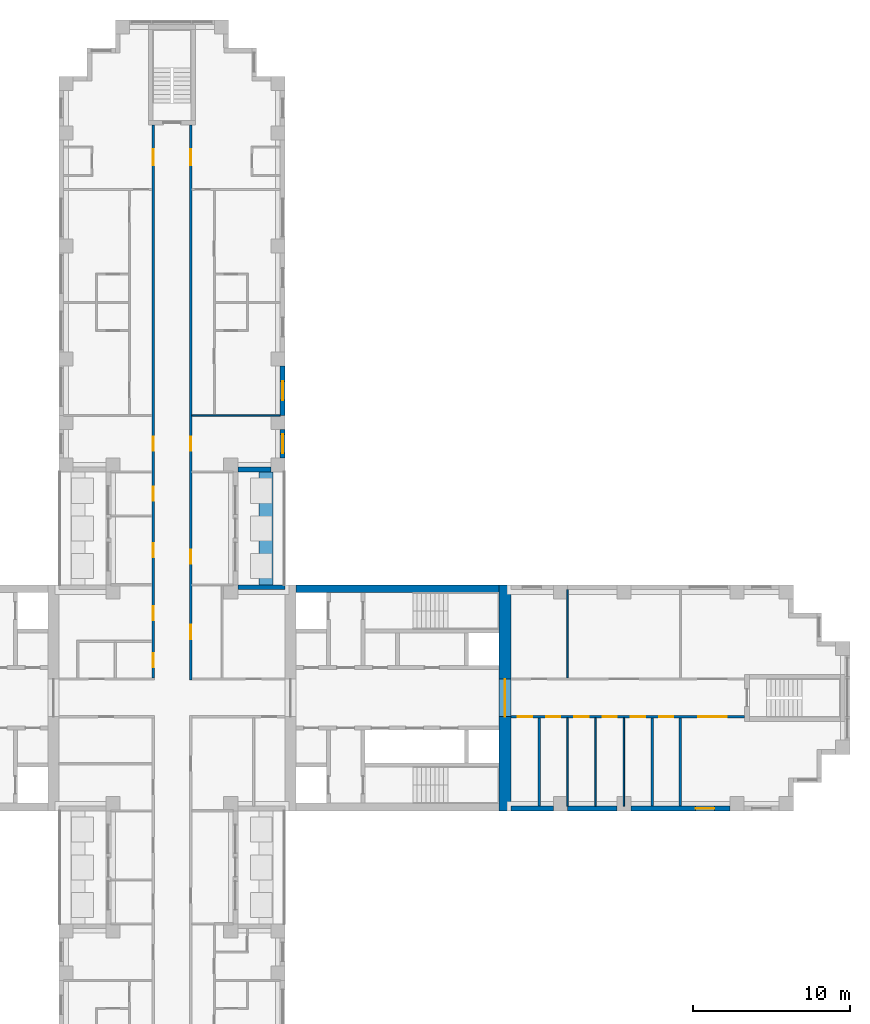
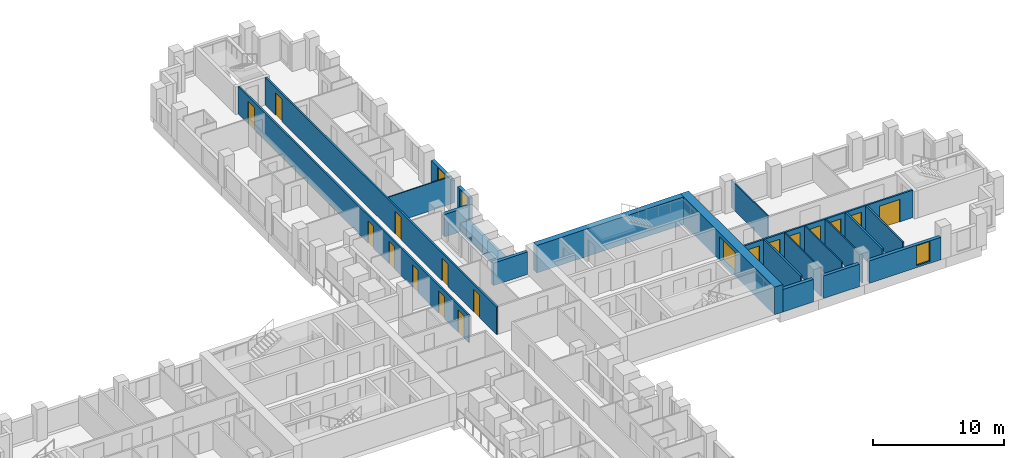
# One storey, part 10 of 16: 21 walls, 18 doors, 3 windows, 21 openings.
"""IFC4 building model written with IfcOpenShell, lengths in metres."""

import ifcopenshell
import ifcopenshell.guid

model = None  # the IFC model being written
_history = None  # IfcOwnerHistory: only IFC2X3 demands one
_inside = {}  # id of a spatial element -> (the spatial element, [elements in it])
_under = {}  # id of a project, library or spatial element -> (it, [spatial elements below it])
_declared = {}  # id of a project -> (the project, [libraries it declares])
_typed = {}  # id of a type object -> (the type object, [elements of that type])
_made_of = {}  # id of a material, layer set ... -> (it, [elements and type objects made of it])


def new_model(schema):
    """Start an empty IFC model of exactly this schema.

    Asked for "IFC4X3", IfcOpenShell would pick the latest addendum, in which some entities
    have other attributes; the version numbers below select the first issue.
    IFC2X3 requires an IfcOwnerHistory on every rooted entity: one is made here for all.
    """
    global model, _history
    if schema == "IFC4X3":
        model = ifcopenshell.file(schema_version=(4, 3, 0, 0))
    else:
        model = ifcopenshell.file(schema=schema)
    _inside.clear()
    _under.clear()
    _declared.clear()
    _typed.clear()
    _made_of.clear()
    _history = None
    if model.schema == "IFC2X3":
        org = make("IfcOrganization", Name="unknown")
        user = make(
            "IfcPersonAndOrganization",
            ThePerson=make("IfcPerson", FamilyName="unknown"),
            TheOrganization=org,
        )
        app = make(
            "IfcApplication",
            ApplicationDeveloper=org,
            Version="unknown",
            ApplicationFullName="unknown",
            ApplicationIdentifier="unknown",
        )
        _history = make(
            "IfcOwnerHistory",
            OwningUser=user,
            OwningApplication=app,
            ChangeAction="ADDED",
            CreationDate=0,
        )
    return model


def make(cls, **values):
    """One entity of the class cls with the attributes given. An attribute that is None is left unset."""
    return model.create_entity(
        cls, **{name: value for name, value in values.items() if value is not None}
    )


def rooted(cls, **values):
    """An entity with a GlobalId (a new one), such as an element, a storey or a relation."""
    return make(cls, GlobalId=ifcopenshell.guid.new(), OwnerHistory=_history, **values)


def si_unit(unit_type, name, prefix=None):
    """IfcSIUnit, for example si_unit("LENGTHUNIT", "METRE", prefix="MILLI")."""
    return make("IfcSIUnit", UnitType=unit_type, Prefix=prefix, Name=name)


def assignment(units):
    """IfcUnitAssignment: the units of a project."""
    return None if units is None else make("IfcUnitAssignment", Units=units)


def point(xyz):
    """IfcCartesianPoint."""
    return None if xyz is None else make("IfcCartesianPoint", Coordinates=xyz)


def direction(xyz):
    """IfcDirection."""
    return None if xyz is None else make("IfcDirection", DirectionRatios=xyz)


def frame(location, z_axis=None, x_axis=None):
    """IfcAxis2Placement3D, a coordinate frame: its origin and axes. An axis left out is left unset."""
    return make(
        "IfcAxis2Placement3D",
        Location=point(location),
        Axis=direction(z_axis),
        RefDirection=direction(x_axis),
    )


def frame_2d(location, x_axis=None):
    """IfcAxis2Placement2D, a coordinate frame in the plane: its origin and x axis."""
    return make(
        "IfcAxis2Placement2D", Location=point(location), RefDirection=direction(x_axis)
    )


def origin():
    """The frame at (0, 0, 0) with its axes left unset."""
    return frame((0.0, 0.0, 0.0))


def place(relative_to, where):
    """IfcLocalPlacement: puts the frame where relative to a parent placement (None: the world)."""
    return make(
        "IfcLocalPlacement", PlacementRelTo=relative_to, RelativePlacement=where
    )


def context(
    kind, dimensions, precision=None, world=None, true_north=None, identifier=None
):
    """IfcGeometricRepresentationContext, for example the 3D "Model" context."""
    return make(
        "IfcGeometricRepresentationContext",
        ContextIdentifier=identifier,
        ContextType=kind,
        CoordinateSpaceDimension=dimensions,
        Precision=precision,
        WorldCoordinateSystem=world,
        TrueNorth=true_north,
    )


def subcontext(parent, identifier, kind, view, scale=None):
    """IfcGeometricRepresentationSubContext, for example "Body" below "Model"."""
    return make(
        "IfcGeometricRepresentationSubContext",
        ContextIdentifier=identifier,
        ContextType=kind,
        ParentContext=parent,
        TargetScale=scale,
        TargetView=view,
    )


def project(units=None, contexts=None):
    """IfcProject with its units and contexts."""
    return rooted(
        "IfcProject",
        Name="project",
        RepresentationContexts=contexts,
        UnitsInContext=assignment(units),
    )


def spatial(cls, under=None, at=None, **own):
    """A site, building, storey or space (cls), placed at a placement, below another one or the project."""
    s = rooted(cls, ObjectPlacement=at, **own)
    if under is not None:
        _under.setdefault(under.id(), (under, []))[1].append(s)
    return s


def profile(cls, at=None, kind="AREA", **sizes):
    """A parametric profile (cls). Its sizes go by their IFC names, for example OverallWidth=200.0."""
    return make(cls, ProfileType=kind, Position=at, **sizes)


def rectangle(**sizes):
    """IfcRectangleProfileDef."""
    return profile("IfcRectangleProfileDef", **sizes)


def extrude(swept, where, along, depth):
    """IfcExtrudedAreaSolid: the profile swept, set in the frame where, extruded along a direction by depth."""
    return make(
        "IfcExtrudedAreaSolid",
        SweptArea=swept,
        Position=where,
        ExtrudedDirection=direction(along),
        Depth=depth,
    )


def shape(context_of_items, identifier, shape_type, items):
    """IfcShapeRepresentation: the items that make up one representation, for example the "Body"."""
    return make(
        "IfcShapeRepresentation",
        ContextOfItems=context_of_items,
        RepresentationIdentifier=identifier,
        RepresentationType=shape_type,
        Items=items,
    )


def material(Name=None, Category=None):
    """IfcMaterial."""
    return make("IfcMaterial", Name=Name, Category=Category)


def layer(
    of_material, thickness, ventilated=None, Name=None, Category=None, Priority=None
):
    """IfcMaterialLayer: one layer of a wall or slab, of a material (None: an air gap)."""
    return make(
        "IfcMaterialLayer",
        Material=of_material,
        LayerThickness=thickness,
        IsVentilated=ventilated,
        Name=Name,
        Category=Category,
        Priority=Priority,
    )


def layer_set(layers, Name=None):
    """IfcMaterialLayerSet."""
    return make("IfcMaterialLayerSet", MaterialLayers=layers, LayerSetName=Name)


def made_of(thing, what):
    """Note that an element or type object is made of a material, layer set ...; save() writes the relation."""
    if what is not None:
        _made_of.setdefault(what.id(), (what, []))[1].append(thing)
    return thing


def type_object(cls, material=None, **own):
    """A type object (cls), such as IfcWallType, which elements share."""
    return made_of(rooted(cls, **own), material)


def element(
    cls,
    number,
    at=None,
    inside=None,
    cuts=None,
    type_object=None,
    material=None,
    context=None,
    identifier="Body",
    shape_type=None,
    held_by="IfcProductDefinitionShape",
    body=None,
    shapes=None,
    **own,
):
    """One element of the class cls, such as IfcWall. Its Tag is "e" and its number.

    at: its placement. inside: the storey or other place that contains it. cuts: it is an
    opening in that element (IfcRelVoidsElement). A single representation is given by context,
    identifier, shape_type and body (its items); several are given by shapes. held_by: the class
    of the entity that holds the representations. save() writes the other relations.
    """
    e = rooted(cls, Tag="e%d" % number, ObjectPlacement=at, **own)
    if body is not None:
        shapes = [shape(context, identifier, shape_type, body)]
    if shapes is not None:
        e.Representation = make(held_by, Representations=shapes)
    if inside is not None:
        _inside.setdefault(inside.id(), (inside, []))[1].append(e)
    if cuts is not None:
        rooted(
            "IfcRelVoidsElement", RelatingBuildingElement=cuts, RelatedOpeningElement=e
        )
    if type_object is not None:
        _typed.setdefault(type_object.id(), (type_object, []))[1].append(e)
    return made_of(e, material)


def fill(opening, filler):
    """IfcRelFillsElement: the door or window that sits in an opening."""
    return rooted(
        "IfcRelFillsElement",
        RelatingOpeningElement=opening,
        RelatedBuildingElement=filler,
    )


def aggregate(whole, parts):
    """IfcRelAggregates: a whole, such as a stair, and the parts it consists of."""
    return rooted("IfcRelAggregates", RelatingObject=whole, RelatedObjects=parts)


def save(model, path):
    """Write the relations noted so far, then the file.

    IfcRelAggregates (storeys below a building ...), IfcRelContainedInSpatialStructure (elements
    in a storey), IfcRelDefinesByType, IfcRelAssociatesMaterial and IfcRelDeclares: one each for
    every whole, place, type object, material and project.
    """
    for whole, parts in _under.values():
        aggregate(whole, parts)
    for where, things in _inside.values():
        rooted(
            "IfcRelContainedInSpatialStructure",
            RelatedElements=things,
            RelatingStructure=where,
        )
    for kind, things in _typed.values():
        rooted("IfcRelDefinesByType", RelatedObjects=things, RelatingType=kind)
    for what, things in _made_of.values():
        rooted("IfcRelAssociatesMaterial", RelatedObjects=things, RelatingMaterial=what)
    for by, libraries in _declared.values():
        rooted("IfcRelDeclares", RelatingContext=by, RelatedDefinitions=libraries)
    model.write(path)


model = new_model("IFC4")

# Units and contexts
model_context = context("Model", 3, precision=1e-05, world=origin(), true_north=direction((0.0, 1.0)))
body_context = subcontext(model_context, "Body", "Model", "MODEL_VIEW")
ifc_project = project(units=[si_unit("LENGTHUNIT", "METRE"), si_unit("AREAUNIT", "SQUARE_METRE"), si_unit("VOLUMEUNIT", "CUBIC_METRE"), si_unit("PLANEANGLEUNIT", "RADIAN"), si_unit("MASSUNIT", "GRAM", prefix="KILO")], contexts=[model_context])

# Site, building, storey
site_placement = place(None, origin())
site = spatial("IfcSite", under=ifc_project, at=site_placement, CompositionType="ELEMENT")
building_placement = place(site_placement, origin())
building = spatial("IfcBuilding", under=site, at=building_placement, Name="Fustian Cross Tower", CompositionType="ELEMENT")
storey_placement = place(building_placement, frame((0.0, 0.0, 23.699951171875)))
storey = spatial("IfcBuildingStorey", under=building, at=storey_placement, Name="L06", CompositionType="ELEMENT", Elevation=23.699951171875)

# Wall, openings, doors
ifc_material_1 = material(Name="Plasterboard on steel stud", Category="steel")
ifc_layer_1 = layer(ifc_material_1, 0.14990234375)
ifc_layer_set_1 = layer_set([ifc_layer_1], Name="Plasterboard on steel stud")
wall_type_1 = type_object("IfcWallType", Name="COMPARTMENT WALL 150 EI 60", PredefinedType="PARTITIONING", material=ifc_layer_set_1)
wall_1_placement = place(storey_placement, frame((-1.199951171875, 1.27490234375, 0.0), z_axis=(0.0, 0.0, 1.0), x_axis=(0.0, 1.0, 0.0)))
wall_1 = element("IfcWall", 1, at=wall_1_placement, inside=storey, type_object=wall_type_1, Name="Partition 52", PredefinedType="PARTITIONING", context=body_context, shape_type="SweptSolid", body=[
    extrude(rectangle(XDim=35.22509765625, YDim=0.14990234375, at=frame_2d((17.612548828125, 0.0))), origin(), (0.0, 0.0, 1.0), 2.574951171875),
])
opening_1_placement = place(wall_1_placement, frame((0.675048828125, 0.0, 0.0)))
opening_1 = element("IfcOpeningElement", 2, at=opening_1_placement, cuts=wall_1, Name="Opening D05003", PredefinedType="OPENING", context=body_context, shape_type="SweptSolid", body=[
    extrude(rectangle(XDim=0.89990234375, YDim=2.10009765625, at=frame_2d((0.449951171875, 1.050048828125))), frame((0.0, 0.0849609375, 0.0), z_axis=(0.0, -1.0, 0.0), x_axis=(1.0, 0.0, 0.0)), (0.0, 0.0, 1.0), 0.169921875),
])
opening_2_placement = place(wall_1_placement, frame((3.675048828125, 0.0, 0.0)))
opening_2 = element("IfcOpeningElement", 3, at=opening_2_placement, cuts=wall_1, Name="Opening D05005", PredefinedType="OPENING", context=body_context, shape_type="SweptSolid", body=[
    extrude(rectangle(XDim=0.89990234375, YDim=2.10009765625, at=frame_2d((0.449951171875, 1.050048828125))), frame((0.0, 0.0849609375, 0.0), z_axis=(0.0, -1.0, 0.0), x_axis=(1.0, 0.0, 0.0)), (0.0, 0.0, 1.0), 0.169921875),
])
opening_3_placement = place(wall_1_placement, frame((11.27490234375, 0.0, 0.0)))
opening_3 = element("IfcOpeningElement", 4, at=opening_3_placement, cuts=wall_1, Name="Opening D05020", PredefinedType="OPENING", context=body_context, shape_type="SweptSolid", body=[
    extrude(rectangle(XDim=0.89990234375, YDim=2.10009765625, at=frame_2d((0.449951171875, 1.050048828125))), frame((0.0, 0.0849609375, 0.0), z_axis=(0.0, -1.0, 0.0), x_axis=(1.0, 0.0, 0.0)), (0.0, 0.0, 1.0), 0.169921875),
])
opening_4_placement = place(wall_1_placement, frame((7.675048828125, 0.0, 0.0)))
opening_4 = element("IfcOpeningElement", 5, at=opening_4_placement, cuts=wall_1, Name="Opening D05021", PredefinedType="OPENING", context=body_context, shape_type="SweptSolid", body=[
    extrude(rectangle(XDim=0.89990234375, YDim=2.10009765625, at=frame_2d((0.449951171875, 1.050048828125))), frame((0.0, 0.0849609375, 0.0), z_axis=(0.0, -1.0, 0.0), x_axis=(1.0, 0.0, 0.0)), (0.0, 0.0, 1.0), 0.169921875),
])
opening_5_placement = place(wall_1_placement, frame((14.47509765625, 0.0, 0.0)))
opening_5 = element("IfcOpeningElement", 6, at=opening_5_placement, cuts=wall_1, Name="Opening D05022", PredefinedType="OPENING", context=body_context, shape_type="SweptSolid", body=[
    extrude(rectangle(XDim=0.89990234375, YDim=2.10009765625, at=frame_2d((0.449951171875, 1.050048828125))), frame((0.0, 0.0849609375, 0.0), z_axis=(0.0, -1.0, 0.0), x_axis=(1.0, 0.0, 0.0)), (0.0, 0.0, 1.0), 0.169921875),
])
opening_6_placement = place(wall_1_placement, frame((32.675048828125, 0.0, 0.0)))
opening_6 = element("IfcOpeningElement", 7, at=opening_6_placement, cuts=wall_1, Name="Opening D05024", PredefinedType="OPENING", context=body_context, shape_type="SweptSolid", body=[
    extrude(rectangle(XDim=1.0, YDim=2.10009765625, at=frame_2d((0.5, 1.050048828125))), frame((0.0, 0.0849609375, 0.0), z_axis=(0.0, -1.0, 0.0), x_axis=(1.0, 0.0, 0.0)), (0.0, 0.0, 1.0), 0.169921875),
])
ifc_material_2 = material(Name="Timber fire door set", Category="wood")
door_type_1 = type_object("IfcDoorType", Name="FIRE SWING DOOR 1000 FD30S", OperationType="SINGLE_SWING_LEFT", PredefinedType="DOOR", material=ifc_material_2)
door_1_placement = place(opening_6_placement, origin())
door_1 = element("IfcDoor", 8, at=door_1_placement, inside=storey, type_object=door_type_1, Name="Door D05024", OperationType="SINGLE_SWING_LEFT", OverallHeight=2.10009765625, OverallWidth=1.0, PredefinedType="DOOR", context=body_context, shape_type="SweptSolid", body=[
    extrude(rectangle(XDim=1.0, YDim=2.10009765625, at=frame_2d((0.5, 1.050048828125))), frame((0.0, 0.02490234375, 0.0), z_axis=(0.0, -1.0, 0.0), x_axis=(1.0, 0.0, 0.0)), (0.0, 0.0, 1.0), 0.050048828125),
])
fill(opening_6, door_1)
ifc_material_3 = material(Name="Timber fire door set", Category="wood")
door_type_2 = type_object("IfcDoorType", Name="FIRE SWING DOOR 900 FD30S", OperationType="SINGLE_SWING_LEFT", PredefinedType="DOOR", material=ifc_material_3)
door_2_placement = place(opening_1_placement, origin())
door_2 = element("IfcDoor", 9, at=door_2_placement, inside=storey, type_object=door_type_2, Name="Door D05003", OperationType="SINGLE_SWING_LEFT", OverallHeight=2.10009765625, OverallWidth=0.89990234375, PredefinedType="DOOR", context=body_context, shape_type="SweptSolid", body=[
    extrude(rectangle(XDim=0.89990234375, YDim=2.10009765625, at=frame_2d((0.449951171875, 1.050048828125))), frame((0.0, 0.02490234375, 0.0), z_axis=(0.0, -1.0, 0.0), x_axis=(1.0, 0.0, 0.0)), (0.0, 0.0, 1.0), 0.050048828125),
])
fill(opening_1, door_2)
door_3_placement = place(opening_2_placement, origin())
door_3 = element("IfcDoor", 10, at=door_3_placement, inside=storey, type_object=door_type_2, Name="Door D05005", OperationType="SINGLE_SWING_LEFT", OverallHeight=2.10009765625, OverallWidth=0.89990234375, PredefinedType="DOOR", context=body_context, shape_type="SweptSolid", body=[
    extrude(rectangle(XDim=0.89990234375, YDim=2.10009765625, at=frame_2d((0.449951171875, 1.050048828125))), frame((0.0, 0.02490234375, 0.0), z_axis=(0.0, -1.0, 0.0), x_axis=(1.0, 0.0, 0.0)), (0.0, 0.0, 1.0), 0.050048828125),
])
fill(opening_2, door_3)
door_4_placement = place(opening_3_placement, origin())
door_4 = element("IfcDoor", 11, at=door_4_placement, inside=storey, type_object=door_type_2, Name="Door D05020", OperationType="SINGLE_SWING_LEFT", OverallHeight=2.10009765625, OverallWidth=0.89990234375, PredefinedType="DOOR", context=body_context, shape_type="SweptSolid", body=[
    extrude(rectangle(XDim=0.89990234375, YDim=2.10009765625, at=frame_2d((0.449951171875, 1.050048828125))), frame((0.0, 0.02490234375, 0.0), z_axis=(0.0, -1.0, 0.0), x_axis=(1.0, 0.0, 0.0)), (0.0, 0.0, 1.0), 0.050048828125),
])
fill(opening_3, door_4)
door_5_placement = place(opening_4_placement, origin())
door_5 = element("IfcDoor", 12, at=door_5_placement, inside=storey, type_object=door_type_2, Name="Door D05021", OperationType="SINGLE_SWING_LEFT", OverallHeight=2.10009765625, OverallWidth=0.89990234375, PredefinedType="DOOR", context=body_context, shape_type="SweptSolid", body=[
    extrude(rectangle(XDim=0.89990234375, YDim=2.10009765625, at=frame_2d((0.449951171875, 1.050048828125))), frame((0.0, 0.02490234375, 0.0), z_axis=(0.0, -1.0, 0.0), x_axis=(1.0, 0.0, 0.0)), (0.0, 0.0, 1.0), 0.050048828125),
])
fill(opening_4, door_5)
door_6_placement = place(opening_5_placement, origin())
door_6 = element("IfcDoor", 13, at=door_6_placement, inside=storey, type_object=door_type_2, Name="Door D05022", OperationType="SINGLE_SWING_LEFT", OverallHeight=2.10009765625, OverallWidth=0.89990234375, PredefinedType="DOOR", context=body_context, shape_type="SweptSolid", body=[
    extrude(rectangle(XDim=0.89990234375, YDim=2.10009765625, at=frame_2d((0.449951171875, 1.050048828125))), frame((0.0, 0.02490234375, 0.0), z_axis=(0.0, -1.0, 0.0), x_axis=(1.0, 0.0, 0.0)), (0.0, 0.0, 1.0), 0.050048828125),
])
fill(opening_5, door_6)

wall_2_placement = place(storey_placement, frame((1.199951171875, 1.125, 0.0), z_axis=(0.0, 0.0, 1.0), x_axis=(0.0, 1.0, 0.0)))
wall_2 = element("IfcWall", 14, at=wall_2_placement, inside=storey, type_object=wall_type_1, Name="Partition 58", PredefinedType="PARTITIONING", context=body_context, shape_type="SweptSolid", body=[
    extrude(rectangle(XDim=35.375, YDim=0.14990234375, at=frame_2d((17.6875, 0.0))), origin(), (0.0, 0.0, 1.0), 2.574951171875),
])
opening_7_placement = place(wall_2_placement, frame((2.625, 0.0, 0.0)))
opening_7 = element("IfcOpeningElement", 15, at=opening_7_placement, cuts=wall_2, Name="Opening D05001", PredefinedType="OPENING", context=body_context, shape_type="SweptSolid", body=[
    extrude(rectangle(XDim=0.89990234375, YDim=2.10009765625, at=frame_2d((0.449951171875, 1.050048828125))), frame((0.0, 0.0849609375, 0.0), z_axis=(0.0, -1.0, 0.0), x_axis=(1.0, 0.0, 0.0)), (0.0, 0.0, 1.0), 0.169921875),
])
opening_8_placement = place(wall_2_placement, frame((7.425048828125, 0.0, 0.0)))
opening_8 = element("IfcOpeningElement", 16, at=opening_8_placement, cuts=wall_2, Name="Opening D05030", PredefinedType="OPENING", context=body_context, shape_type="SweptSolid", body=[
    extrude(rectangle(XDim=0.89990234375, YDim=2.10009765625, at=frame_2d((0.449951171875, 1.050048828125))), frame((0.0, 0.0849609375, 0.0), z_axis=(0.0, -1.0, 0.0), x_axis=(1.0, 0.0, 0.0)), (0.0, 0.0, 1.0), 0.169921875),
])
opening_9_placement = place(wall_2_placement, frame((14.625, 0.0, 0.0)))
opening_9 = element("IfcOpeningElement", 17, at=opening_9_placement, cuts=wall_2, Name="Opening D05031", PredefinedType="OPENING", context=body_context, shape_type="SweptSolid", body=[
    extrude(rectangle(XDim=0.89990234375, YDim=2.10009765625, at=frame_2d((0.449951171875, 1.050048828125))), frame((0.0, 0.0849609375, 0.0), z_axis=(0.0, -1.0, 0.0), x_axis=(1.0, 0.0, 0.0)), (0.0, 0.0, 1.0), 0.169921875),
])
opening_10_placement = place(wall_2_placement, frame((32.824951171875, 0.0, 0.0)))
opening_10 = element("IfcOpeningElement", 18, at=opening_10_placement, cuts=wall_2, Name="Opening D05033", PredefinedType="OPENING", context=body_context, shape_type="SweptSolid", body=[
    extrude(rectangle(XDim=1.0, YDim=2.10009765625, at=frame_2d((0.5, 1.050048828125))), frame((0.0, 0.0849609375, 0.0), z_axis=(0.0, -1.0, 0.0), x_axis=(1.0, 0.0, 0.0)), (0.0, 0.0, 1.0), 0.169921875),
])
door_7_placement = place(opening_10_placement, frame((1.0, 0.0, 0.0), z_axis=(0.0, 0.0, 1.0), x_axis=(-1.0, 0.0, 0.0)))
door_7 = element("IfcDoor", 19, at=door_7_placement, inside=storey, type_object=door_type_1, Name="Door D05033", OperationType="SINGLE_SWING_RIGHT", OverallHeight=2.10009765625, OverallWidth=1.0, PredefinedType="DOOR", context=body_context, shape_type="SweptSolid", body=[
    extrude(rectangle(XDim=1.0, YDim=2.10009765625, at=frame_2d((0.5, 1.050048828125))), frame((0.0, 0.02490234375, 0.0), z_axis=(0.0, -1.0, 0.0), x_axis=(1.0, 0.0, 0.0)), (0.0, 0.0, 1.0), 0.050048828125),
])
fill(opening_10, door_7)
door_8_placement = place(opening_7_placement, frame((0.89990234375, 0.0, 0.0), z_axis=(0.0, 0.0, 1.0), x_axis=(-1.0, 0.0, 0.0)))
door_8 = element("IfcDoor", 20, at=door_8_placement, inside=storey, type_object=door_type_2, Name="Door D05001", OperationType="SINGLE_SWING_RIGHT", OverallHeight=2.10009765625, OverallWidth=0.89990234375, PredefinedType="DOOR", context=body_context, shape_type="SweptSolid", body=[
    extrude(rectangle(XDim=0.89990234375, YDim=2.10009765625, at=frame_2d((0.449951171875, 1.050048828125))), frame((0.0, 0.02490234375, 0.0), z_axis=(0.0, -1.0, 0.0), x_axis=(1.0, 0.0, 0.0)), (0.0, 0.0, 1.0), 0.050048828125),
])
fill(opening_7, door_8)
door_9_placement = place(opening_8_placement, frame((0.89990234375, 0.0, 0.0), z_axis=(0.0, 0.0, 1.0), x_axis=(-1.0, 0.0, 0.0)))
door_9 = element("IfcDoor", 21, at=door_9_placement, inside=storey, type_object=door_type_2, Name="Door D05030", OperationType="SINGLE_SWING_RIGHT", OverallHeight=2.10009765625, OverallWidth=0.89990234375, PredefinedType="DOOR", context=body_context, shape_type="SweptSolid", body=[
    extrude(rectangle(XDim=0.89990234375, YDim=2.10009765625, at=frame_2d((0.449951171875, 1.050048828125))), frame((0.0, 0.02490234375, 0.0), z_axis=(0.0, -1.0, 0.0), x_axis=(1.0, 0.0, 0.0)), (0.0, 0.0, 1.0), 0.050048828125),
])
fill(opening_8, door_9)
door_10_placement = place(opening_9_placement, frame((0.89990234375, 0.0, 0.0), z_axis=(0.0, 0.0, 1.0), x_axis=(-1.0, 0.0, 0.0)))
door_10 = element("IfcDoor", 22, at=door_10_placement, inside=storey, type_object=door_type_2, Name="Door D05031", OperationType="SINGLE_SWING_RIGHT", OverallHeight=2.10009765625, OverallWidth=0.89990234375, PredefinedType="DOOR", context=body_context, shape_type="SweptSolid", body=[
    extrude(rectangle(XDim=0.89990234375, YDim=2.10009765625, at=frame_2d((0.449951171875, 1.050048828125))), frame((0.0, 0.02490234375, 0.0), z_axis=(0.0, -1.0, 0.0), x_axis=(1.0, 0.0, 0.0)), (0.0, 0.0, 1.0), 0.050048828125),
])
fill(opening_9, door_10)

wall_3_placement = place(storey_placement, frame((21.60009765625, -1.199951171875, 0.0), z_axis=(0.0, 0.0, 1.0), x_axis=(1.0, 0.0, 0.0)))
wall_3 = element("IfcWall", 23, at=wall_3_placement, inside=storey, type_object=wall_type_1, Name="Partition 92", PredefinedType="PARTITIONING", context=body_context, shape_type="SweptSolid", body=[
    extrude(rectangle(XDim=14.89990234375, YDim=0.14990234375, at=frame_2d((7.449951171875, 0.0))), origin(), (0.0, 0.0, 1.0), 2.574951171875),
])
opening_11_placement = place(wall_3_placement, frame((0.449951171875, 0.0, 0.0)))
opening_11 = element("IfcOpeningElement", 24, at=opening_11_placement, cuts=wall_3, Name="Opening D05013", PredefinedType="OPENING", context=body_context, shape_type="SweptSolid", body=[
    extrude(rectangle(XDim=0.89990234375, YDim=2.10009765625, at=frame_2d((0.449951171875, 1.050048828125))), frame((0.0, 0.0849609375, 0.0), z_axis=(0.0, -1.0, 0.0), x_axis=(1.0, 0.0, 0.0)), (0.0, 0.0, 1.0), 0.169921875),
])
opening_12_placement = place(wall_3_placement, frame((2.25, 0.0, 0.0)))
opening_12 = element("IfcOpeningElement", 25, at=opening_12_placement, cuts=wall_3, Name="Opening D05014", PredefinedType="OPENING", context=body_context, shape_type="SweptSolid", body=[
    extrude(rectangle(XDim=0.89990234375, YDim=2.10009765625, at=frame_2d((0.449951171875, 1.050048828125))), frame((0.0, 0.0849609375, 0.0), z_axis=(0.0, -1.0, 0.0), x_axis=(1.0, 0.0, 0.0)), (0.0, 0.0, 1.0), 0.169921875),
])
opening_13_placement = place(wall_3_placement, frame((4.050048828125, 0.0, 0.0)))
opening_13 = element("IfcOpeningElement", 26, at=opening_13_placement, cuts=wall_3, Name="Opening D05015", PredefinedType="OPENING", context=body_context, shape_type="SweptSolid", body=[
    extrude(rectangle(XDim=0.89990234375, YDim=2.10009765625, at=frame_2d((0.449951171875, 1.050048828125))), frame((0.0, 0.0849609375, 0.0), z_axis=(0.0, -1.0, 0.0), x_axis=(1.0, 0.0, 0.0)), (0.0, 0.0, 1.0), 0.169921875),
])
opening_14_placement = place(wall_3_placement, frame((5.85009765625, 0.0, 0.0)))
opening_14 = element("IfcOpeningElement", 27, at=opening_14_placement, cuts=wall_3, Name="Opening D05016", PredefinedType="OPENING", context=body_context, shape_type="SweptSolid", body=[
    extrude(rectangle(XDim=0.89990234375, YDim=2.10009765625, at=frame_2d((0.449951171875, 1.050048828125))), frame((0.0, 0.0849609375, 0.0), z_axis=(0.0, -1.0, 0.0), x_axis=(1.0, 0.0, 0.0)), (0.0, 0.0, 1.0), 0.169921875),
])
opening_15_placement = place(wall_3_placement, frame((7.64990234375, 0.0, 0.0)))
opening_15 = element("IfcOpeningElement", 28, at=opening_15_placement, cuts=wall_3, Name="Opening D05017", PredefinedType="OPENING", context=body_context, shape_type="SweptSolid", body=[
    extrude(rectangle(XDim=0.89990234375, YDim=2.10009765625, at=frame_2d((0.449951171875, 1.050048828125))), frame((0.0, 0.0849609375, 0.0), z_axis=(0.0, -1.0, 0.0), x_axis=(1.0, 0.0, 0.0)), (0.0, 0.0, 1.0), 0.169921875),
])
opening_16_placement = place(wall_3_placement, frame((9.449951171875, 0.0, 0.0)))
opening_16 = element("IfcOpeningElement", 29, at=opening_16_placement, cuts=wall_3, Name="Opening D05018", PredefinedType="OPENING", context=body_context, shape_type="SweptSolid", body=[
    extrude(rectangle(XDim=0.89990234375, YDim=2.10009765625, at=frame_2d((0.449951171875, 1.050048828125))), frame((0.0, 0.0849609375, 0.0), z_axis=(0.0, -1.0, 0.0), x_axis=(1.0, 0.0, 0.0)), (0.0, 0.0, 1.0), 0.169921875),
])
opening_17_placement = place(wall_3_placement, frame((11.949951171875, 0.0, 0.0)))
opening_17 = element("IfcOpeningElement", 30, at=opening_17_placement, cuts=wall_3, Name="Opening D05019", PredefinedType="OPENING", context=body_context, shape_type="SweptSolid", body=[
    extrude(rectangle(XDim=1.800048828125, YDim=2.10009765625, at=frame_2d((0.89990234375, 1.050048828125))), frame((0.0, 0.0849609375, 0.0), z_axis=(0.0, -1.0, 0.0), x_axis=(1.0, 0.0, 0.0)), (0.0, 0.0, 1.0), 0.169921875),
])
ifc_material_4 = material(Name="Timber fire door set", Category="wood")
door_type_3 = type_object("IfcDoorType", Name="FIRE DOUBLE DOOR 1800 FD30S", OperationType="DOUBLE_DOOR_DOUBLE_SWING", PredefinedType="DOOR", material=ifc_material_4)
door_11_placement = place(opening_17_placement, origin())
door_11 = element("IfcDoor", 31, at=door_11_placement, inside=storey, type_object=door_type_3, Name="Door D05019", OperationType="DOUBLE_DOOR_DOUBLE_SWING", OverallHeight=2.10009765625, OverallWidth=1.800048828125, PredefinedType="DOOR", context=body_context, shape_type="SweptSolid", body=[
    extrude(rectangle(XDim=1.800048828125, YDim=2.10009765625, at=frame_2d((0.89990234375, 1.050048828125))), frame((0.0, 0.02490234375, 0.0), z_axis=(0.0, -1.0, 0.0), x_axis=(1.0, 0.0, 0.0)), (0.0, 0.0, 1.0), 0.050048828125),
])
fill(opening_17, door_11)
door_12_placement = place(opening_11_placement, frame((0.89990234375, 0.0, 0.0), z_axis=(0.0, 0.0, 1.0), x_axis=(-1.0, 0.0, 0.0)))
door_12 = element("IfcDoor", 32, at=door_12_placement, inside=storey, type_object=door_type_2, Name="Door D05013", OperationType="SINGLE_SWING_LEFT", OverallHeight=2.10009765625, OverallWidth=0.89990234375, PredefinedType="DOOR", context=body_context, shape_type="SweptSolid", body=[
    extrude(rectangle(XDim=0.89990234375, YDim=2.10009765625, at=frame_2d((0.449951171875, 1.050048828125))), frame((0.0, 0.02490234375, 0.0), z_axis=(0.0, -1.0, 0.0), x_axis=(1.0, 0.0, 0.0)), (0.0, 0.0, 1.0), 0.050048828125),
])
fill(opening_11, door_12)
door_13_placement = place(opening_12_placement, frame((0.89990234375, 0.0, 0.0), z_axis=(0.0, 0.0, 1.0), x_axis=(-1.0, 0.0, 0.0)))
door_13 = element("IfcDoor", 33, at=door_13_placement, inside=storey, type_object=door_type_2, Name="Door D05014", OperationType="SINGLE_SWING_LEFT", OverallHeight=2.10009765625, OverallWidth=0.89990234375, PredefinedType="DOOR", context=body_context, shape_type="SweptSolid", body=[
    extrude(rectangle(XDim=0.89990234375, YDim=2.10009765625, at=frame_2d((0.449951171875, 1.050048828125))), frame((0.0, 0.02490234375, 0.0), z_axis=(0.0, -1.0, 0.0), x_axis=(1.0, 0.0, 0.0)), (0.0, 0.0, 1.0), 0.050048828125),
])
fill(opening_12, door_13)
door_14_placement = place(opening_13_placement, frame((0.89990234375, 0.0, 0.0), z_axis=(0.0, 0.0, 1.0), x_axis=(-1.0, 0.0, 0.0)))
door_14 = element("IfcDoor", 34, at=door_14_placement, inside=storey, type_object=door_type_2, Name="Door D05015", OperationType="SINGLE_SWING_LEFT", OverallHeight=2.10009765625, OverallWidth=0.89990234375, PredefinedType="DOOR", context=body_context, shape_type="SweptSolid", body=[
    extrude(rectangle(XDim=0.89990234375, YDim=2.10009765625, at=frame_2d((0.449951171875, 1.050048828125))), frame((0.0, 0.02490234375, 0.0), z_axis=(0.0, -1.0, 0.0), x_axis=(1.0, 0.0, 0.0)), (0.0, 0.0, 1.0), 0.050048828125),
])
fill(opening_13, door_14)
door_15_placement = place(opening_14_placement, frame((0.89990234375, 0.0, 0.0), z_axis=(0.0, 0.0, 1.0), x_axis=(-1.0, 0.0, 0.0)))
door_15 = element("IfcDoor", 35, at=door_15_placement, inside=storey, type_object=door_type_2, Name="Door D05016", OperationType="SINGLE_SWING_LEFT", OverallHeight=2.10009765625, OverallWidth=0.89990234375, PredefinedType="DOOR", context=body_context, shape_type="SweptSolid", body=[
    extrude(rectangle(XDim=0.89990234375, YDim=2.10009765625, at=frame_2d((0.449951171875, 1.050048828125))), frame((0.0, 0.02490234375, 0.0), z_axis=(0.0, -1.0, 0.0), x_axis=(1.0, 0.0, 0.0)), (0.0, 0.0, 1.0), 0.050048828125),
])
fill(opening_14, door_15)
door_16_placement = place(opening_15_placement, frame((0.89990234375, 0.0, 0.0), z_axis=(0.0, 0.0, 1.0), x_axis=(-1.0, 0.0, 0.0)))
door_16 = element("IfcDoor", 36, at=door_16_placement, inside=storey, type_object=door_type_2, Name="Door D05017", OperationType="SINGLE_SWING_LEFT", OverallHeight=2.10009765625, OverallWidth=0.89990234375, PredefinedType="DOOR", context=body_context, shape_type="SweptSolid", body=[
    extrude(rectangle(XDim=0.89990234375, YDim=2.10009765625, at=frame_2d((0.449951171875, 1.050048828125))), frame((0.0, 0.02490234375, 0.0), z_axis=(0.0, -1.0, 0.0), x_axis=(1.0, 0.0, 0.0)), (0.0, 0.0, 1.0), 0.050048828125),
])
fill(opening_15, door_16)
door_17_placement = place(opening_16_placement, origin())
door_17 = element("IfcDoor", 37, at=door_17_placement, inside=storey, type_object=door_type_2, Name="Door D05018", OperationType="SINGLE_SWING_RIGHT", OverallHeight=2.10009765625, OverallWidth=0.89990234375, PredefinedType="DOOR", context=body_context, shape_type="SweptSolid", body=[
    extrude(rectangle(XDim=0.89990234375, YDim=2.10009765625, at=frame_2d((0.449951171875, 1.050048828125))), frame((0.0, 0.02490234375, 0.0), z_axis=(0.0, -1.0, 0.0), x_axis=(1.0, 0.0, 0.0)), (0.0, 0.0, 1.0), 0.050048828125),
])
fill(opening_16, door_17)

# Walls
for number, where, z_axis, x_axis, name in (
    (38, (23.39990234375, -6.89990234375, 0.0), (0.0, 0.0, 1.0), (0.0, 1.0, 0.0), "Partition 94"),
    (39, (30.60009765625, -6.89990234375, 0.0), (0.0, 0.0, 1.0), (0.0, 1.0, 0.0), "Partition 99"),
    (40, (32.39990234375, -6.89990234375, 0.0), (0.0, 0.0, 1.0), (0.0, 1.0, 0.0), "Partition 100"),
):
    element("IfcWall", number, at=place(storey_placement, frame(where, z_axis=z_axis, x_axis=x_axis)), inside=storey, type_object=wall_type_1, Name=name, PredefinedType="PARTITIONING", context=body_context, shape_type="SweptSolid", body=[
        extrude(rectangle(XDim=5.625, YDim=0.14990234375, at=frame_2d((2.8125, 0.0))), origin(), (0.0, 0.0, 1.0), 2.574951171875),
    ])

# Wall, opening, door
ifc_material_5 = material(Name="Concrete C80/95", Category="concrete")
ifc_layer_2 = layer(ifc_material_5, 0.75)
ifc_layer_set_2 = layer_set([ifc_layer_2], Name="Concrete C80/95")
wall_type_2 = type_object("IfcWallType", Name="CORE END WALL 750 C80/95", PredefinedType="SHEAR", material=ifc_layer_set_2)
wall_4_placement = place(storey_placement, frame((21.22509765625, -7.199951171875, 0.0), z_axis=(0.0, 0.0, 1.0), x_axis=(0.0, 1.0, 0.0)))
wall_4 = element("IfcWall", 41, at=wall_4_placement, inside=storey, type_object=wall_type_2, Name="Core end wall", PredefinedType="SHEAR", context=body_context, shape_type="SweptSolid", body=[
    extrude(rectangle(XDim=14.39990234375, YDim=0.75, at=frame_2d((7.199951171875, 0.0))), origin(), (0.0, 0.0, 1.0), 2.574951171875),
])
opening_18_placement = place(wall_4_placement, frame((6.0, 0.0, 0.0)))
opening_18 = element("IfcOpeningElement", 42, at=opening_18_placement, cuts=wall_4, Name="Opening CD-05-13", PredefinedType="OPENING", context=body_context, shape_type="SweptSolid", body=[
    extrude(rectangle(XDim=2.39990234375, YDim=2.199951171875, at=frame_2d((1.199951171875, 1.10009765625))), frame((0.0, 0.385009765625, 0.0), z_axis=(0.0, -1.0, 0.0), x_axis=(1.0, 0.0, 0.0)), (0.0, 0.0, 1.0), 0.77001953125),
])
ifc_material_6 = material(Name="Steel", Category="steel")
door_type_4 = type_object("IfcDoorType", Name="FIRE DOOR FD30S DOUBLE 2400X2200", OperationType="DOUBLE_DOOR_DOUBLE_SWING", PredefinedType="DOOR", material=ifc_material_6)
door_18_placement = place(opening_18_placement, origin())
door_18 = element("IfcDoor", 43, at=door_18_placement, inside=storey, type_object=door_type_4, Name="Core door CD-05-13", OperationType="DOUBLE_DOOR_DOUBLE_SWING", OverallHeight=2.199951171875, OverallWidth=2.39990234375, PredefinedType="DOOR", context=body_context, shape_type="SweptSolid", body=[
    extrude(rectangle(XDim=2.39990234375, YDim=2.199951171875, at=frame_2d((1.199951171875, 1.10009765625))), frame((0.0, 0.02490234375, 0.0), z_axis=(0.0, -1.0, 0.0), x_axis=(1.0, 0.0, 0.0)), (0.0, 0.0, 1.0), 0.050048828125),
])
fill(opening_18, door_18)

# Walls
ifc_material_7 = material(Name="Concrete C80/95", Category="concrete")
ifc_layer_3 = layer(ifc_material_7, 0.5)
ifc_layer_set_3 = layer_set([ifc_layer_3], Name="Concrete C80/95")
wall_type_3 = type_object("IfcWallType", Name="CORE FACADE WALL 500 C80/95", PredefinedType="SHEAR", material=ifc_layer_set_3)
wall_5_placement = place(storey_placement, frame((7.89990234375, 6.949951171875, 0.0), z_axis=(0.0, 0.0, 1.0), x_axis=(1.0, 0.0, 0.0)))
element("IfcWall", 44, at=wall_5_placement, inside=storey, type_object=wall_type_3, Name="Core facade wall", PredefinedType="SHEAR", context=body_context, shape_type="SweptSolid", body=[
    extrude(rectangle(XDim=12.9501953125, YDim=0.5, at=frame_2d((6.47509765625, 0.0))), origin(), (0.0, 0.0, 1.0), 2.574951171875),
])
ifc_material_8 = material(Name="Plasterboard on steel stud", Category="steel")
ifc_layer_4 = layer(ifc_material_8, 0.10009765625)
ifc_layer_set_4 = layer_set([ifc_layer_4], Name="Plasterboard on steel stud")
wall_type_4 = type_object("IfcWallType", Name="PARTITION 100 STUD", PredefinedType="PARTITIONING", material=ifc_layer_set_4)
for number, where, z_axis, x_axis, name in (
    (45, (1.27490234375, 18.0, 0.0), (0.0, 0.0, 1.0), (1.0, 0.0, 0.0), "Partition 62"),
    (46, (25.199951171875, -6.89990234375, 0.0), (0.0, 0.0, 1.0), (0.0, 1.0, 0.0), "Partition 95"),
    (47, (25.199951171875, 1.27490234375, 0.0), (0.0, 0.0, 1.0), (0.0, 1.0, 0.0), "Partition 96"),
    (48, (27.0, -6.89990234375, 0.0), (0.0, 0.0, 1.0), (0.0, 1.0, 0.0), "Partition 97"),
    (49, (28.800048828125, -6.89990234375, 0.0), (0.0, 0.0, 1.0), (0.0, 1.0, 0.0), "Partition 98"),
):
    element("IfcWall", number, at=place(storey_placement, frame(where, z_axis=z_axis, x_axis=x_axis)), inside=storey, type_object=wall_type_4, Name=name, PredefinedType="PARTITIONING", context=body_context, shape_type="SweptSolid", body=[
        extrude(rectangle(XDim=5.625, YDim=0.10009765625, at=frame_2d((2.8125, 0.0))), origin(), (0.0, 0.0, 1.0), 2.574951171875),
    ])
ifc_material_9 = material(Name="Concrete C40/50", Category="concrete")
ifc_layer_5 = layer(ifc_material_9, 0.89990234375)
ifc_layer_set_5 = layer_set([ifc_layer_5], Name="Concrete C40/50")
wall_type_5 = type_object("IfcWallType", Name="PK1 PLANTER 900", PredefinedType="PARAPET", material=ifc_layer_set_5)
wall_6_placement = place(storey_placement, frame((6.0, 7.199951171875, 0.0), z_axis=(0.0, 0.0, 1.0), x_axis=(0.0, 1.0, 0.0)))
element("IfcWall", 50, at=wall_6_placement, inside=storey, type_object=wall_type_5, Name="PLANTER", PredefinedType="PARAPET", context=body_context, shape_type="SweptSolid", body=[
    extrude(rectangle(XDim=7.199951171875, YDim=0.89990234375, at=frame_2d((3.60009765625, 0.0))), origin(), (0.0, 0.0, 1.0), 0.800048828125),
])
ifc_material_10 = material(Name="Dark aluminium cladding on insulated backing wall", Category="aluminium")
ifc_layer_6 = layer(ifc_material_10, 0.300048828125)
ifc_layer_set_6 = layer_set([ifc_layer_6], Name="Dark aluminium cladding on insulated backing wall")
wall_type_6 = type_object("IfcWallType", Name="XW1 EXTERNAL WALL 300", PredefinedType="SOLIDWALL", material=ifc_layer_set_6)
wall_7_placement = place(storey_placement, frame((21.60009765625, -7.050048828125, 0.0), z_axis=(0.0, 0.0, 1.0), x_axis=(1.0, 0.0, 0.0)))
element("IfcWall", 51, at=wall_7_placement, inside=storey, type_object=wall_type_6, Name="External wall", PredefinedType="SOLIDWALL", context=body_context, shape_type="SweptSolid", body=[
    extrude(rectangle(XDim=2.699951171875, YDim=0.300048828125, at=frame_2d((1.35009765625, 0.0))), origin(), (0.0, 0.0, 1.0), 2.10009765625),
])
wall_8_placement = place(storey_placement, frame((25.199951171875, -7.050048828125, 0.0), z_axis=(0.0, 0.0, 1.0), x_axis=(1.0, 0.0, 0.0)))
element("IfcWall", 52, at=wall_8_placement, inside=storey, type_object=wall_type_6, Name="External wall", PredefinedType="SOLIDWALL", context=body_context, shape_type="SweptSolid", body=[
    extrude(rectangle(XDim=3.150146484375, YDim=0.300048828125, at=frame_2d((1.5751953125, 0.0))), origin(), (0.0, 0.0, 1.0), 2.10009765625),
])

# Wall, opening, window
wall_9_placement = place(storey_placement, frame((29.25, -7.050048828125, 0.0), z_axis=(0.0, 0.0, 1.0), x_axis=(1.0, 0.0, 0.0)))
wall_9 = element("IfcWall", 53, at=wall_9_placement, inside=storey, type_object=wall_type_6, Name="External wall", PredefinedType="SOLIDWALL", context=body_context, shape_type="SweptSolid", body=[
    extrude(rectangle(XDim=6.300048828125, YDim=0.300048828125, at=frame_2d((3.14990234375, 0.0))), origin(), (0.0, 0.0, 1.0), 2.10009765625),
])
opening_19_placement = place(wall_9_placement, frame((4.125, 0.0, 0.199951171875)))
opening_19 = element("IfcOpeningElement", 54, at=opening_19_placement, cuts=wall_9, Name="Opening WN3", PredefinedType="OPENING", context=body_context, shape_type="SweptSolid", body=[
    extrude(rectangle(XDim=1.199951171875, YDim=1.85009765625, at=frame_2d((0.60009765625, 0.925048828125))), frame((0.0, 0.159912109375, 0.0), z_axis=(0.0, -1.0, 0.0), x_axis=(1.0, 0.0, 0.0)), (0.0, 0.0, 1.0), 0.320068359375),
])
ifc_material_11 = material(Name="Dark anodised aluminium and double glazing", Category="aluminium")
window_type = type_object("IfcWindowType", Name="WN3 WINDOW 1200X1850", PartitioningType="SINGLE_PANEL", PredefinedType="WINDOW", material=ifc_material_11)
window_1_placement = place(opening_19_placement, origin())
window_1 = element("IfcWindow", 55, at=window_1_placement, inside=storey, type_object=window_type, Name="Window", OverallHeight=1.85009765625, OverallWidth=1.199951171875, PartitioningType="SINGLE_PANEL", PredefinedType="WINDOW", context=body_context, shape_type="SweptSolid", body=[
    extrude(rectangle(XDim=1.199951171875, YDim=1.85009765625, at=frame_2d((0.60009765625, 0.925048828125))), frame((0.0, 0.030029296875, 0.0), z_axis=(0.0, -1.0, 0.0), x_axis=(1.0, 0.0, 0.0)), (0.0, 0.0, 1.0), 0.06005859375),
])
fill(opening_19, window_1)

# Walls
wall_10_placement = place(storey_placement, frame((7.199951171875, 7.050048828125, 0.0), z_axis=(0.0, 0.0, 1.0), x_axis=(-1.0, 0.0, 0.0)))
element("IfcWall", 56, at=wall_10_placement, inside=storey, type_object=wall_type_6, Name="External wall", PredefinedType="SOLIDWALL", context=body_context, shape_type="SweptSolid", body=[
    extrude(rectangle(XDim=3.0, YDim=0.300048828125, at=frame_2d((1.5, 0.0))), origin(), (0.0, 0.0, 1.0), 2.10009765625),
])
wall_11_placement = place(storey_placement, frame((4.199951171875, 14.550048828125, 0.0), z_axis=(0.0, 0.0, 1.0), x_axis=(1.0, 0.0, 0.0)))
element("IfcWall", 57, at=wall_11_placement, inside=storey, type_object=wall_type_6, Name="External wall", PredefinedType="SOLIDWALL", context=body_context, shape_type="SweptSolid", body=[
    extrude(rectangle(XDim=2.10009765625, YDim=0.300048828125, at=frame_2d((1.050048828125, 0.0))), origin(), (0.0, 0.0, 1.0), 2.10009765625),
])

# Wall, opening, window
wall_12_placement = place(storey_placement, frame((7.050048828125, 15.300048828125, 0.0), z_axis=(0.0, 0.0, 1.0), x_axis=(0.0, 1.0, 0.0)))
wall_12 = element("IfcWall", 58, at=wall_12_placement, inside=storey, type_object=wall_type_6, Name="External wall", PredefinedType="SOLIDWALL", context=body_context, shape_type="SweptSolid", body=[
    extrude(rectangle(XDim=1.800048828125, YDim=0.300048828125, at=frame_2d((0.89990234375, 0.0))), origin(), (0.0, 0.0, 1.0), 2.10009765625),
])
opening_20_placement = place(wall_12_placement, frame((0.300048828125, 0.0, 0.199951171875)))
opening_20 = element("IfcOpeningElement", 59, at=opening_20_placement, cuts=wall_12, Name="Opening WN3", PredefinedType="OPENING", context=body_context, shape_type="SweptSolid", body=[
    extrude(rectangle(XDim=1.199951171875, YDim=1.85009765625, at=frame_2d((0.60009765625, 0.925048828125))), frame((0.0, 0.159912109375, 0.0), z_axis=(0.0, -1.0, 0.0), x_axis=(1.0, 0.0, 0.0)), (0.0, 0.0, 1.0), 0.320068359375),
])
window_2_placement = place(opening_20_placement, origin())
window_2 = element("IfcWindow", 60, at=window_2_placement, inside=storey, type_object=window_type, Name="Window", OverallHeight=1.85009765625, OverallWidth=1.199951171875, PartitioningType="SINGLE_PANEL", PredefinedType="WINDOW", context=body_context, shape_type="SweptSolid", body=[
    extrude(rectangle(XDim=1.199951171875, YDim=1.85009765625, at=frame_2d((0.60009765625, 0.925048828125))), frame((0.0, 0.030029296875, 0.0), z_axis=(0.0, -1.0, 0.0), x_axis=(1.0, 0.0, 0.0)), (0.0, 0.0, 1.0), 0.06005859375),
])
fill(opening_20, window_2)

wall_13_placement = place(storey_placement, frame((7.050048828125, 18.0, 0.0), z_axis=(0.0, 0.0, 1.0), x_axis=(0.0, 1.0, 0.0)))
wall_13 = element("IfcWall", 61, at=wall_13_placement, inside=storey, type_object=wall_type_6, Name="External wall", PredefinedType="SOLIDWALL", context=body_context, shape_type="SweptSolid", body=[
    extrude(rectangle(XDim=3.14990234375, YDim=0.300048828125, at=frame_2d((1.574951171875, 0.0))), origin(), (0.0, 0.0, 1.0), 2.10009765625),
])
opening_21_placement = place(wall_13_placement, frame((0.97509765625, 0.0, 0.199951171875)))
opening_21 = element("IfcOpeningElement", 62, at=opening_21_placement, cuts=wall_13, Name="Opening WN3", PredefinedType="OPENING", context=body_context, shape_type="SweptSolid", body=[
    extrude(rectangle(XDim=1.199951171875, YDim=1.85009765625, at=frame_2d((0.60009765625, 0.925048828125))), frame((0.0, 0.159912109375, 0.0), z_axis=(0.0, -1.0, 0.0), x_axis=(1.0, 0.0, 0.0)), (0.0, 0.0, 1.0), 0.320068359375),
])
window_3_placement = place(opening_21_placement, origin())
window_3 = element("IfcWindow", 63, at=window_3_placement, inside=storey, type_object=window_type, Name="Window", OverallHeight=1.85009765625, OverallWidth=1.199951171875, PartitioningType="SINGLE_PANEL", PredefinedType="WINDOW", context=body_context, shape_type="SweptSolid", body=[
    extrude(rectangle(XDim=1.199951171875, YDim=1.85009765625, at=frame_2d((0.60009765625, 0.925048828125))), frame((0.0, 0.030029296875, 0.0), z_axis=(0.0, -1.0, 0.0), x_axis=(1.0, 0.0, 0.0)), (0.0, 0.0, 1.0), 0.06005859375),
])
fill(opening_21, window_3)

save(model, "model.ifc")
